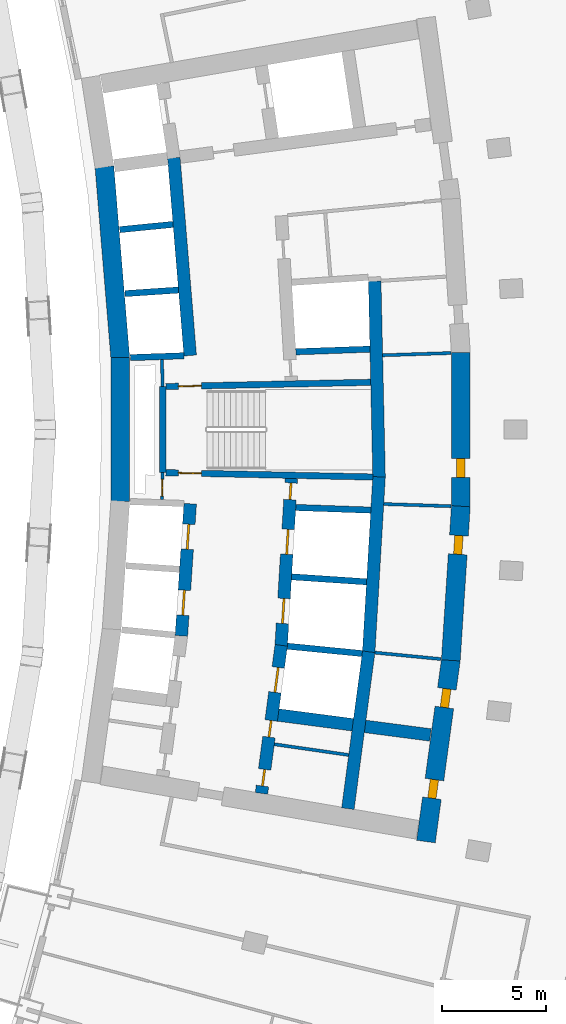
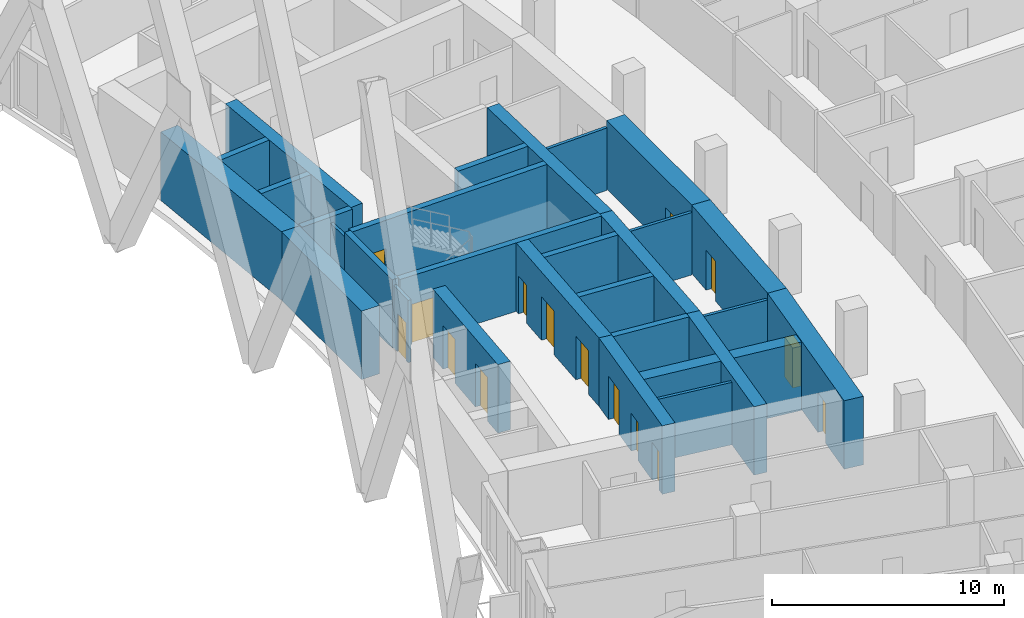
# One storey, part 14 of 23: 30 walls, 15 doors, 15 openings.
"""IFC4 building model written with IfcOpenShell, lengths in metres."""

import ifcopenshell
import ifcopenshell.guid

model = None  # the IFC model being written
_history = None  # IfcOwnerHistory: only IFC2X3 demands one
_inside = {}  # id of a spatial element -> (the spatial element, [elements in it])
_under = {}  # id of a project, library or spatial element -> (it, [spatial elements below it])
_declared = {}  # id of a project -> (the project, [libraries it declares])
_typed = {}  # id of a type object -> (the type object, [elements of that type])
_made_of = {}  # id of a material, layer set ... -> (it, [elements and type objects made of it])


def new_model(schema):
    """Start an empty IFC model of exactly this schema.

    Asked for "IFC4X3", IfcOpenShell would pick the latest addendum, in which some entities
    have other attributes; the version numbers below select the first issue.
    IFC2X3 requires an IfcOwnerHistory on every rooted entity: one is made here for all.
    """
    global model, _history
    if schema == "IFC4X3":
        model = ifcopenshell.file(schema_version=(4, 3, 0, 0))
    else:
        model = ifcopenshell.file(schema=schema)
    _inside.clear()
    _under.clear()
    _declared.clear()
    _typed.clear()
    _made_of.clear()
    _history = None
    if model.schema == "IFC2X3":
        org = make("IfcOrganization", Name="unknown")
        user = make(
            "IfcPersonAndOrganization",
            ThePerson=make("IfcPerson", FamilyName="unknown"),
            TheOrganization=org,
        )
        app = make(
            "IfcApplication",
            ApplicationDeveloper=org,
            Version="unknown",
            ApplicationFullName="unknown",
            ApplicationIdentifier="unknown",
        )
        _history = make(
            "IfcOwnerHistory",
            OwningUser=user,
            OwningApplication=app,
            ChangeAction="ADDED",
            CreationDate=0,
        )
    return model


def make(cls, **values):
    """One entity of the class cls with the attributes given. An attribute that is None is left unset."""
    return model.create_entity(
        cls, **{name: value for name, value in values.items() if value is not None}
    )


def rooted(cls, **values):
    """An entity with a GlobalId (a new one), such as an element, a storey or a relation."""
    return make(cls, GlobalId=ifcopenshell.guid.new(), OwnerHistory=_history, **values)


def si_unit(unit_type, name, prefix=None):
    """IfcSIUnit, for example si_unit("LENGTHUNIT", "METRE", prefix="MILLI")."""
    return make("IfcSIUnit", UnitType=unit_type, Prefix=prefix, Name=name)


def assignment(units):
    """IfcUnitAssignment: the units of a project."""
    return None if units is None else make("IfcUnitAssignment", Units=units)


def point(xyz):
    """IfcCartesianPoint."""
    return None if xyz is None else make("IfcCartesianPoint", Coordinates=xyz)


def direction(xyz):
    """IfcDirection."""
    return None if xyz is None else make("IfcDirection", DirectionRatios=xyz)


def frame(location, z_axis=None, x_axis=None):
    """IfcAxis2Placement3D, a coordinate frame: its origin and axes. An axis left out is left unset."""
    return make(
        "IfcAxis2Placement3D",
        Location=point(location),
        Axis=direction(z_axis),
        RefDirection=direction(x_axis),
    )


def frame_2d(location, x_axis=None):
    """IfcAxis2Placement2D, a coordinate frame in the plane: its origin and x axis."""
    return make(
        "IfcAxis2Placement2D", Location=point(location), RefDirection=direction(x_axis)
    )


def origin():
    """The frame at (0, 0, 0) with its axes left unset."""
    return frame((0.0, 0.0, 0.0))


def place(relative_to, where):
    """IfcLocalPlacement: puts the frame where relative to a parent placement (None: the world)."""
    return make(
        "IfcLocalPlacement", PlacementRelTo=relative_to, RelativePlacement=where
    )


def context(
    kind, dimensions, precision=None, world=None, true_north=None, identifier=None
):
    """IfcGeometricRepresentationContext, for example the 3D "Model" context."""
    return make(
        "IfcGeometricRepresentationContext",
        ContextIdentifier=identifier,
        ContextType=kind,
        CoordinateSpaceDimension=dimensions,
        Precision=precision,
        WorldCoordinateSystem=world,
        TrueNorth=true_north,
    )


def subcontext(parent, identifier, kind, view, scale=None):
    """IfcGeometricRepresentationSubContext, for example "Body" below "Model"."""
    return make(
        "IfcGeometricRepresentationSubContext",
        ContextIdentifier=identifier,
        ContextType=kind,
        ParentContext=parent,
        TargetScale=scale,
        TargetView=view,
    )


def project(units=None, contexts=None):
    """IfcProject with its units and contexts."""
    return rooted(
        "IfcProject",
        Name="project",
        RepresentationContexts=contexts,
        UnitsInContext=assignment(units),
    )


def spatial(cls, under=None, at=None, **own):
    """A site, building, storey or space (cls), placed at a placement, below another one or the project."""
    s = rooted(cls, ObjectPlacement=at, **own)
    if under is not None:
        _under.setdefault(under.id(), (under, []))[1].append(s)
    return s


def profile(cls, at=None, kind="AREA", **sizes):
    """A parametric profile (cls). Its sizes go by their IFC names, for example OverallWidth=200.0."""
    return make(cls, ProfileType=kind, Position=at, **sizes)


def rectangle(**sizes):
    """IfcRectangleProfileDef."""
    return profile("IfcRectangleProfileDef", **sizes)


def extrude(swept, where, along, depth):
    """IfcExtrudedAreaSolid: the profile swept, set in the frame where, extruded along a direction by depth."""
    return make(
        "IfcExtrudedAreaSolid",
        SweptArea=swept,
        Position=where,
        ExtrudedDirection=direction(along),
        Depth=depth,
    )


def shape(context_of_items, identifier, shape_type, items):
    """IfcShapeRepresentation: the items that make up one representation, for example the "Body"."""
    return make(
        "IfcShapeRepresentation",
        ContextOfItems=context_of_items,
        RepresentationIdentifier=identifier,
        RepresentationType=shape_type,
        Items=items,
    )


def material(Name=None, Category=None):
    """IfcMaterial."""
    return make("IfcMaterial", Name=Name, Category=Category)


def layer(
    of_material, thickness, ventilated=None, Name=None, Category=None, Priority=None
):
    """IfcMaterialLayer: one layer of a wall or slab, of a material (None: an air gap)."""
    return make(
        "IfcMaterialLayer",
        Material=of_material,
        LayerThickness=thickness,
        IsVentilated=ventilated,
        Name=Name,
        Category=Category,
        Priority=Priority,
    )


def layer_set(layers, Name=None):
    """IfcMaterialLayerSet."""
    return make("IfcMaterialLayerSet", MaterialLayers=layers, LayerSetName=Name)


def made_of(thing, what):
    """Note that an element or type object is made of a material, layer set ...; save() writes the relation."""
    if what is not None:
        _made_of.setdefault(what.id(), (what, []))[1].append(thing)
    return thing


def type_object(cls, material=None, **own):
    """A type object (cls), such as IfcWallType, which elements share."""
    return made_of(rooted(cls, **own), material)


def element(
    cls,
    number,
    at=None,
    inside=None,
    cuts=None,
    type_object=None,
    material=None,
    context=None,
    identifier="Body",
    shape_type=None,
    held_by="IfcProductDefinitionShape",
    body=None,
    shapes=None,
    **own,
):
    """One element of the class cls, such as IfcWall. Its Tag is "e" and its number.

    at: its placement. inside: the storey or other place that contains it. cuts: it is an
    opening in that element (IfcRelVoidsElement). A single representation is given by context,
    identifier, shape_type and body (its items); several are given by shapes. held_by: the class
    of the entity that holds the representations. save() writes the other relations.
    """
    e = rooted(cls, Tag="e%d" % number, ObjectPlacement=at, **own)
    if body is not None:
        shapes = [shape(context, identifier, shape_type, body)]
    if shapes is not None:
        e.Representation = make(held_by, Representations=shapes)
    if inside is not None:
        _inside.setdefault(inside.id(), (inside, []))[1].append(e)
    if cuts is not None:
        rooted(
            "IfcRelVoidsElement", RelatingBuildingElement=cuts, RelatedOpeningElement=e
        )
    if type_object is not None:
        _typed.setdefault(type_object.id(), (type_object, []))[1].append(e)
    return made_of(e, material)


def fill(opening, filler):
    """IfcRelFillsElement: the door or window that sits in an opening."""
    return rooted(
        "IfcRelFillsElement",
        RelatingOpeningElement=opening,
        RelatedBuildingElement=filler,
    )


def aggregate(whole, parts):
    """IfcRelAggregates: a whole, such as a stair, and the parts it consists of."""
    return rooted("IfcRelAggregates", RelatingObject=whole, RelatedObjects=parts)


def save(model, path):
    """Write the relations noted so far, then the file.

    IfcRelAggregates (storeys below a building ...), IfcRelContainedInSpatialStructure (elements
    in a storey), IfcRelDefinesByType, IfcRelAssociatesMaterial and IfcRelDeclares: one each for
    every whole, place, type object, material and project.
    """
    for whole, parts in _under.values():
        aggregate(whole, parts)
    for where, things in _inside.values():
        rooted(
            "IfcRelContainedInSpatialStructure",
            RelatedElements=things,
            RelatingStructure=where,
        )
    for kind, things in _typed.values():
        rooted("IfcRelDefinesByType", RelatedObjects=things, RelatingType=kind)
    for what, things in _made_of.values():
        rooted("IfcRelAssociatesMaterial", RelatedObjects=things, RelatingMaterial=what)
    for by, libraries in _declared.values():
        rooted("IfcRelDeclares", RelatingContext=by, RelatedDefinitions=libraries)
    model.write(path)


model = new_model("IFC4")

# Units and contexts
model_context = context("Model", 3, precision=1e-05, world=origin(), true_north=direction((0.0, 1.0)))
body_context = subcontext(model_context, "Body", "Model", "MODEL_VIEW")
ifc_project = project(units=[si_unit("LENGTHUNIT", "METRE"), si_unit("AREAUNIT", "SQUARE_METRE"), si_unit("VOLUMEUNIT", "CUBIC_METRE"), si_unit("PLANEANGLEUNIT", "RADIAN"), si_unit("MASSUNIT", "GRAM", prefix="KILO")], contexts=[model_context])

# Site, building, storey
site_placement = place(None, origin())
site = spatial("IfcSite", under=ifc_project, at=site_placement, CompositionType="ELEMENT")
building_placement = place(site_placement, origin())
building = spatial("IfcBuilding", under=site, at=building_placement, Name="Alderwake Tower", CompositionType="ELEMENT")
storey_placement = place(building_placement, frame((0.0, 0.0, 53.60009765625)))
storey = spatial("IfcBuildingStorey", under=building, at=storey_placement, Name="L12", CompositionType="ELEMENT", Elevation=53.60009765625)

# Wall, opening, door
ifc_material_1 = material(Name="Gypsum shaft wall system, rated")
ifc_layer_1 = layer(ifc_material_1, 0.14990234375)
ifc_layer_set_1 = layer_set([ifc_layer_1], Name="Core room partition 150")
wall_type_1 = type_object("IfcWallType", Name="Core room partition 150", PredefinedType="PARTITIONING", material=ifc_layer_set_1)
wall_1_placement = place(storey_placement, frame((18.918701171875, 58.94384765625, 0.0), z_axis=(0.0, 0.0, 1.0), x_axis=(-0.027348257573, -0.999625966453, 0.0)))
wall_1 = element("IfcWall", 1, at=wall_1_placement, inside=storey, type_object=wall_type_1, Name="CW/L12/PA+24_-37", PredefinedType="PARTITIONING", context=body_context, shape_type="SweptSolid", body=[
    extrude(rectangle(XDim=1.29443359375, YDim=0.14990234375, at=frame_2d((0.647216796875, 0.0))), origin(), (0.0, 0.0, 1.0), 3.27978515625),
])
opening_1_placement = place(wall_1_placement, frame((0.322998046875, 0.0, 0.0)))
opening_1 = element("IfcOpeningElement", 2, at=opening_1_placement, cuts=wall_1, Name="Opening C004", PredefinedType="OPENING", context=body_context, shape_type="SweptSolid", body=[
    extrude(rectangle(XDim=0.800048828125, YDim=2.0, at=frame_2d((0.39990234375, 1.0))), frame((0.0, 0.0849609375, 0.0), z_axis=(0.0, -1.0, 0.0), x_axis=(1.0, 0.0, 0.0)), (0.0, 0.0, 1.0), 0.169921875),
])
ifc_material_2 = material(Name="Painted steel leaf, rated", Category="steel")
door_type_1 = type_object("IfcDoorType", Name="Riser access door 800", OperationType="SINGLE_SWING_LEFT", PredefinedType="DOOR", material=ifc_material_2)
door_1_placement = place(opening_1_placement, origin())
door_1 = element("IfcDoor", 3, at=door_1_placement, inside=storey, type_object=door_type_1, Name="Riser access door", OperationType="SINGLE_SWING_RIGHT", OverallHeight=2.0, OverallWidth=0.800048828125, PredefinedType="DOOR", context=body_context, shape_type="SweptSolid", body=[
    extrude(rectangle(XDim=0.800048828125, YDim=2.0, at=frame_2d((0.39990234375, 1.0))), frame((0.0, 0.02490234375, 0.0), z_axis=(0.0, -1.0, 0.0), x_axis=(1.0, 0.0, 0.0)), (0.0, 0.0, 1.0), 0.050048828125),
])
fill(opening_1, door_1)

# Walls
wall_2_placement = place(storey_placement, frame((18.918701171875, 63.05517578125, 0.0), z_axis=(0.0, 0.0, 1.0), x_axis=(-0.027327648352, 0.999626530078, 0.0)))
element("IfcWall", 4, at=wall_2_placement, inside=storey, type_object=wall_type_1, Name="CW/L12/PA+24_+22", PredefinedType="PARTITIONING", context=body_context, shape_type="SweptSolid", body=[
    extrude(rectangle(XDim=1.29541015625, YDim=0.14990234375, at=frame_2d((0.647705078125, 0.0))), origin(), (0.0, 0.0, 1.0), 3.27978515625),
])
wall_3_placement = place(storey_placement, frame((24.263916015625, 45.940673828125, 0.0), z_axis=(0.0, 0.0, 1.0), x_axis=(0.989732412963, -0.142932679013, 0.0)))
element("IfcWall", 5, at=wall_3_placement, inside=storey, type_object=wall_type_1, Name="CW/L12/PR-150_+86", PredefinedType="PARTITIONING", context=body_context, shape_type="SweptSolid", body=[
    extrude(rectangle(XDim=3.595458984375, YDim=0.14990234375, at=frame_2d((1.7978515625, 0.0))), origin(), (0.0, 0.0, 1.0), 3.27978515625),
])
wall_4_placement = place(storey_placement, frame((29.0791015625, 50.326416015625, 0.0), z_axis=(0.0, 0.0, 1.0), x_axis=(0.995249181795, -0.097360495766, 0.0)))
element("IfcWall", 6, at=wall_4_placement, inside=storey, type_object=wall_type_1, Name="CW/L12/PR-102_+128", PredefinedType="PARTITIONING", context=body_context, shape_type="SweptSolid", body=[
    extrude(rectangle(XDim=3.169677734375, YDim=0.14990234375, at=frame_2d((1.5849609375, 0.0))), origin(), (0.0, 0.0, 1.0), 3.27978515625),
])
wall_5_placement = place(storey_placement, frame((29.50048828125, 57.4384765625, 0.0), z_axis=(0.0, 0.0, 1.0), x_axis=(0.999470508275, -0.032537717924, 0.0)))
element("IfcWall", 7, at=wall_5_placement, inside=storey, type_object=wall_type_1, Name="CW/L12/PR-34_+128", PredefinedType="PARTITIONING", context=body_context, shape_type="SweptSolid", body=[
    extrude(rectangle(XDim=3.21142578125, YDim=0.14990234375, at=frame_2d((1.605712890625, 0.0))), origin(), (0.0, 0.0, 1.0), 3.27978515625),
])
wall_6_placement = place(storey_placement, frame((29.447509765625, 64.559814453125, 0.0), z_axis=(0.0, 0.0, 1.0), x_axis=(0.999470664956, 0.032532904763, 0.0)))
element("IfcWall", 8, at=wall_6_placement, inside=storey, type_object=wall_type_1, Name="CW/L12/PR+34_+128", PredefinedType="PARTITIONING", context=body_context, shape_type="SweptSolid", body=[
    extrude(rectangle(XDim=3.264404296875, YDim=0.14990234375, at=frame_2d((1.63232421875, 0.0))), origin(), (0.0, 0.0, 1.0), 3.27978515625),
])
ifc_material_3 = material(Name="Concrete C70/85", Category="concrete")
ifc_layer_2 = layer(ifc_material_3, 0.89990234375)
ifc_layer_set_2 = layer_set([ifc_layer_2], Name="Core wall outer 900 C70-85")
wall_type_2 = type_object("IfcWallType", Name="Core wall outer 900 C70-85", PredefinedType="SHEAR", material=ifc_layer_set_2)
wall_7_placement = place(storey_placement, frame((16.889404296875, 57.5546875, 0.0), z_axis=(0.0, 0.0, 1.0), x_axis=(0.0, 1.0, 0.0)))
element("IfcWall", 9, at=wall_7_placement, inside=storey, type_object=wall_type_2, Name="Core wall CW.043", PredefinedType="SHEAR", context=body_context, shape_type="SweptSolid", body=[
    extrude(rectangle(XDim=6.89404296875, YDim=0.89990234375, at=frame_2d((3.447021484375, 0.0))), origin(), (0.0, 0.0, 1.0), 3.599853515625),
])
wall_8_placement = place(storey_placement, frame((16.890869140625, 64.41064453125, 0.0), z_axis=(0.0, 0.0, 1.0), x_axis=(-0.082624275373, 0.996580768989, 0.0)))
element("IfcWall", 10, at=wall_8_placement, inside=storey, type_object=wall_type_2, Name="Core wall CW.040", PredefinedType="SHEAR", context=body_context, shape_type="SweptSolid", body=[
    extrude(rectangle(XDim=9.210205078125, YDim=0.89990234375, at=frame_2d((4.60498046875, 0.0))), origin(), (0.0, 0.0, 1.0), 3.599853515625),
])

# Wall, openings, doors
wall_9_placement = place(storey_placement, frame((32.7138671875, 49.9873046875, 0.0), z_axis=(0.0, 0.0, 1.0), x_axis=(-0.135844728876, -0.990730139663, 0.0)))
wall_9 = element("IfcWall", 11, at=wall_9_placement, inside=storey, type_object=wall_type_2, Name="Core wall CW.012", PredefinedType="SHEAR", context=body_context, shape_type="SweptSolid", body=[
    extrude(rectangle(XDim=8.78662109375, YDim=0.89990234375, at=frame_2d((4.393310546875, 0.0))), origin(), (0.0, 0.0, 1.0), 3.599853515625),
])
opening_2_placement = place(wall_9_placement, frame((1.40673828125, 0.0, 0.0)))
opening_2 = element("IfcOpeningElement", 12, at=opening_2_placement, cuts=wall_9, Name="Opening C050", PredefinedType="OPENING", context=body_context, shape_type="SweptSolid", body=[
    extrude(rectangle(XDim=0.89990234375, YDim=2.10009765625, at=frame_2d((0.449951171875, 1.050048828125))), frame((0.0, 0.4599609375, 0.0), z_axis=(0.0, -1.0, 0.0), x_axis=(1.0, 0.0, 0.0)), (0.0, 0.0, 1.0), 0.919921875),
])
opening_3_placement = place(wall_9_placement, frame((5.79248046875, 0.0, 0.0)))
opening_3 = element("IfcOpeningElement", 13, at=opening_3_placement, cuts=wall_9, Name="Opening C061", PredefinedType="OPENING", context=body_context, shape_type="SweptSolid", body=[
    extrude(rectangle(XDim=0.89990234375, YDim=2.10009765625, at=frame_2d((0.449951171875, 1.050048828125))), frame((0.0, 0.4599609375, 0.0), z_axis=(0.0, -1.0, 0.0), x_axis=(1.0, 0.0, 0.0)), (0.0, 0.0, 1.0), 0.919921875),
])
ifc_material_4 = material(Name="Painted steel leaf", Category="steel")
door_type_2 = type_object("IfcDoorType", Name="Core room door 900", OperationType="SINGLE_SWING_LEFT", PredefinedType="DOOR", material=ifc_material_4)
door_2_placement = place(opening_2_placement, origin())
door_2 = element("IfcDoor", 14, at=door_2_placement, inside=storey, type_object=door_type_2, Name="Room door", OperationType="SINGLE_SWING_LEFT", OverallHeight=2.10009765625, OverallWidth=0.89990234375, PredefinedType="DOOR", context=body_context, shape_type="SweptSolid", body=[
    extrude(rectangle(XDim=0.89990234375, YDim=2.10009765625, at=frame_2d((0.449951171875, 1.050048828125))), frame((0.0, 0.199951171875, 0.0), z_axis=(0.0, -1.0, 0.0), x_axis=(1.0, 0.0, 0.0)), (0.0, 0.0, 1.0), 0.39990234375),
])
fill(opening_2, door_2)
door_3_placement = place(opening_3_placement, origin())
door_3 = element("IfcDoor", 15, at=door_3_placement, inside=storey, type_object=door_type_2, Name="Room door", OperationType="SINGLE_SWING_RIGHT", OverallHeight=2.10009765625, OverallWidth=0.89990234375, PredefinedType="DOOR", context=body_context, shape_type="SweptSolid", body=[
    extrude(rectangle(XDim=0.89990234375, YDim=2.10009765625, at=frame_2d((0.449951171875, 1.050048828125))), frame((0.0, 0.199951171875, 0.0), z_axis=(0.0, -1.0, 0.0), x_axis=(1.0, 0.0, 0.0)), (0.0, 0.0, 1.0), 0.39990234375),
])
fill(opening_3, door_3)

# Wall, opening, door
wall_10_placement = place(storey_placement, frame((33.191162109375, 57.33349609375, 0.0), z_axis=(0.0, 0.0, 1.0), x_axis=(-0.064976219143, -0.997886812693, 0.0)))
wall_10 = element("IfcWall", 16, at=wall_10_placement, inside=storey, type_object=wall_type_2, Name="Core wall CW.011", PredefinedType="SHEAR", context=body_context, shape_type="SweptSolid", body=[
    extrude(rectangle(XDim=7.39453125, YDim=0.89990234375, at=frame_2d((3.697265625, 0.0))), origin(), (0.0, 0.0, 1.0), 3.599853515625),
])
opening_4_placement = place(wall_10_placement, frame((1.405517578125, 0.0, 0.0)))
opening_4 = element("IfcOpeningElement", 17, at=opening_4_placement, cuts=wall_10, Name="Opening C026", PredefinedType="OPENING", context=body_context, shape_type="SweptSolid", body=[
    extrude(rectangle(XDim=0.89990234375, YDim=2.10009765625, at=frame_2d((0.449951171875, 1.050048828125))), frame((0.0, 0.4599609375, 0.0), z_axis=(0.0, -1.0, 0.0), x_axis=(1.0, 0.0, 0.0)), (0.0, 0.0, 1.0), 0.919921875),
])
door_4_placement = place(opening_4_placement, origin())
door_4 = element("IfcDoor", 18, at=door_4_placement, inside=storey, type_object=door_type_2, Name="Room door", OperationType="SINGLE_SWING_RIGHT", OverallHeight=2.10009765625, OverallWidth=0.89990234375, PredefinedType="DOOR", context=body_context, shape_type="SweptSolid", body=[
    extrude(rectangle(XDim=0.89990234375, YDim=2.10009765625, at=frame_2d((0.449951171875, 1.050048828125))), frame((0.0, 0.199951171875, 0.0), z_axis=(0.0, -1.0, 0.0), x_axis=(1.0, 0.0, 0.0)), (0.0, 0.0, 1.0), 0.39990234375),
])
fill(opening_4, door_4)

wall_11_placement = place(storey_placement, frame((33.190185546875, 64.69677734375, 0.0), z_axis=(0.0, 0.0, 1.0), x_axis=(0.0, -1.0, 0.0)))
wall_11 = element("IfcWall", 19, at=wall_11_placement, inside=storey, type_object=wall_type_2, Name="Core wall CW.013", PredefinedType="SHEAR", context=body_context, shape_type="SweptSolid", body=[
    extrude(rectangle(XDim=7.3935546875, YDim=0.89990234375, at=frame_2d((3.69677734375, 0.0))), origin(), (0.0, 0.0, 1.0), 3.599853515625),
])
opening_5_placement = place(wall_11_placement, frame((5.087646484375, 0.0, 0.0)))
opening_5 = element("IfcOpeningElement", 20, at=opening_5_placement, cuts=wall_11, Name="Opening C030", PredefinedType="OPENING", context=body_context, shape_type="SweptSolid", body=[
    extrude(rectangle(XDim=0.89990234375, YDim=2.10009765625, at=frame_2d((0.449951171875, 1.050048828125))), frame((0.0, 0.4599609375, 0.0), z_axis=(0.0, -1.0, 0.0), x_axis=(1.0, 0.0, 0.0)), (0.0, 0.0, 1.0), 0.919921875),
])
door_5_placement = place(opening_5_placement, origin())
door_5 = element("IfcDoor", 21, at=door_5_placement, inside=storey, type_object=door_type_2, Name="Room door", OperationType="SINGLE_SWING_LEFT", OverallHeight=2.10009765625, OverallWidth=0.89990234375, PredefinedType="DOOR", context=body_context, shape_type="SweptSolid", body=[
    extrude(rectangle(XDim=0.89990234375, YDim=2.10009765625, at=frame_2d((0.449951171875, 1.050048828125))), frame((0.0, 0.199951171875, 0.0), z_axis=(0.0, -1.0, 0.0), x_axis=(1.0, 0.0, 0.0)), (0.0, 0.0, 1.0), 0.39990234375),
])
fill(opening_5, door_5)

# Walls
ifc_material_5 = material(Name="Concrete C70/85", Category="concrete")
ifc_layer_3 = layer(ifc_material_5, 0.300048828125)
ifc_layer_set_3 = layer_set([ifc_layer_3], Name="Core wall shaft 300 C70-85")
wall_type_3 = type_object("IfcWallType", Name="Core wall shaft 300 C70-85", PredefinedType="SHEAR", material=ifc_layer_set_3)
wall_12_placement = place(storey_placement, frame((24.889404296875, 50.635009765625, 0.0), z_axis=(0.0, 0.0, 1.0), x_axis=(0.995156121494, -0.098307140396, 0.0)))
element("IfcWall", 22, at=wall_12_placement, inside=storey, type_object=wall_type_3, Name="Core wall CW.066", PredefinedType="SHEAR", context=body_context, shape_type="SweptSolid", body=[
    extrude(rectangle(XDim=3.595947265625, YDim=0.300048828125, at=frame_2d((1.7978515625, 0.0))), origin(), (0.0, 0.0, 1.0), 3.599853515625),
])
wall_13_placement = place(storey_placement, frame((25.090087890625, 53.954833984375, 0.0), z_axis=(0.0, 0.0, 1.0), x_axis=(0.997758045734, -0.066924451231, 0.0)))
element("IfcWall", 23, at=wall_13_placement, inside=storey, type_object=wall_type_3, Name="Core wall CW.080", PredefinedType="SHEAR", context=body_context, shape_type="SweptSolid", body=[
    extrude(rectangle(XDim=3.596923828125, YDim=0.300048828125, at=frame_2d((1.79833984375, 0.0))), origin(), (0.0, 0.0, 1.0), 3.599853515625),
])
wall_14_placement = place(storey_placement, frame((25.29052734375, 57.27294921875, 0.0), z_axis=(0.0, 0.0, 1.0), x_axis=(0.99937585491, -0.035325636908, 0.0)))
element("IfcWall", 24, at=wall_14_placement, inside=storey, type_object=wall_type_3, Name="Core wall CW.077", PredefinedType="SHEAR", context=body_context, shape_type="SweptSolid", body=[
    extrude(rectangle(XDim=3.59375, YDim=0.300048828125, at=frame_2d((1.796875, 0.0))), origin(), (0.0, 0.0, 1.0), 3.599853515625),
])
wall_15_placement = place(storey_placement, frame((17.369384765625, 64.446533203125, 0.0), z_axis=(0.0, 0.0, 1.0), x_axis=(0.999371660382, 0.035444102817, 0.0)))
element("IfcWall", 25, at=wall_15_placement, inside=storey, type_object=wall_type_3, Name="Core wall CW.059", PredefinedType="SHEAR", context=body_context, shape_type="SweptSolid", body=[
    extrude(rectangle(XDim=2.5693359375, YDim=0.300048828125, at=frame_2d((1.28466796875, 0.0))), origin(), (0.0, 0.0, 1.0), 3.599853515625),
])
wall_16_placement = place(storey_placement, frame((25.291259765625, 64.72705078125, 0.0), z_axis=(0.0, 0.0, 1.0), x_axis=(0.999373231824, 0.035399767136, 0.0)))
element("IfcWall", 26, at=wall_16_placement, inside=storey, type_object=wall_type_3, Name="Core wall CW.060", PredefinedType="SHEAR", context=body_context, shape_type="SweptSolid", body=[
    extrude(rectangle(XDim=3.5517578125, YDim=0.300048828125, at=frame_2d((1.77587890625, 0.0))), origin(), (0.0, 0.0, 1.0), 3.599853515625),
])
for number, where, z_axis, x_axis, name in (
    (27, (17.115478515625, 67.510498046875, 0.0), (0.0, 0.0, 1.0), (0.99775517309, 0.06696726493, 0.0), "Core wall CW.062"),
    (28, (16.86181640625, 70.571533203125, 0.0), (0.0, 0.0, 1.0), (0.995151424955, 0.098354671516, 0.0), "Core wall CW.050"),
):
    element("IfcWall", number, at=place(storey_placement, frame(where, z_axis=z_axis, x_axis=x_axis)), inside=storey, type_object=wall_type_3, Name=name, PredefinedType="SHEAR", context=body_context, shape_type="SweptSolid", body=[
        extrude(rectangle(XDim=2.566650390625, YDim=0.300048828125, at=frame_2d((1.283203125, 0.0))), origin(), (0.0, 0.0, 1.0), 3.599853515625),
    ])

# Wall, openings, doors
ifc_material_6 = material(Name="Concrete C70/85", Category="concrete")
ifc_layer_4 = layer(ifc_material_6, 0.60009765625)
ifc_layer_set_4 = layer_set([ifc_layer_4], Name="Core wall spine 600 C70-85")
wall_type_4 = type_object("IfcWallType", Name="Core wall spine 600 C70-85", PredefinedType="SHEAR", material=ifc_layer_set_4)
wall_17_placement = place(storey_placement, frame((19.813232421875, 51.12646484375, 0.0), z_axis=(0.0, 0.0, 1.0), x_axis=(0.066892179723, 0.997760209816, 0.0)))
wall_17 = element("IfcWall", 29, at=wall_17_placement, inside=storey, type_object=wall_type_4, Name="Core wall CW.032", PredefinedType="SHEAR", context=body_context, shape_type="SweptSolid", body=[
    extrude(rectangle(XDim=6.339599609375, YDim=0.60009765625, at=frame_2d((3.169921875, 0.0))), origin(), (0.0, 0.0, 1.0), 3.599853515625),
])
opening_6_placement = place(wall_17_placement, frame((0.992431640625, 0.0, 0.0)))
opening_6 = element("IfcOpeningElement", 30, at=opening_6_placement, cuts=wall_17, Name="Opening LD-LP2", PredefinedType="OPENING", context=body_context, shape_type="SweptSolid", body=[
    extrude(rectangle(XDim=1.199951171875, YDim=2.300048828125, at=frame_2d((0.60009765625, 1.14990234375))), frame((0.0, 0.31005859375, 0.0), z_axis=(0.0, -1.0, 0.0), x_axis=(1.0, 0.0, 0.0)), (0.0, 0.0, 1.0), 0.6201171875),
])
opening_7_placement = place(wall_17_placement, frame((4.157470703125, 0.0, 0.0)))
opening_7 = element("IfcOpeningElement", 31, at=opening_7_placement, cuts=wall_17, Name="Opening LD-LP3", PredefinedType="OPENING", context=body_context, shape_type="SweptSolid", body=[
    extrude(rectangle(XDim=1.199951171875, YDim=2.300048828125, at=frame_2d((0.60009765625, 1.14990234375))), frame((0.0, 0.31005859375, 0.0), z_axis=(0.0, -1.0, 0.0), x_axis=(1.0, 0.0, 0.0)), (0.0, 0.0, 1.0), 0.6201171875),
])
ifc_material_7 = material(Name="Stainless steel sliding leaf", Category="steel")
door_type_3 = type_object("IfcDoorType", Name="Lift landing door 1200", OperationType="SLIDING_TO_LEFT", PredefinedType="DOOR", material=ifc_material_7)
door_6_placement = place(opening_6_placement, origin())
door_6 = element("IfcDoor", 32, at=door_6_placement, inside=storey, type_object=door_type_3, Name="Lift landing door LP2", OperationType="SLIDING_TO_LEFT", OverallHeight=2.300048828125, OverallWidth=1.199951171875, PredefinedType="DOOR", context=body_context, shape_type="SweptSolid", body=[
    extrude(rectangle(XDim=1.199951171875, YDim=2.300048828125, at=frame_2d((0.60009765625, 1.14990234375))), frame((0.0, 0.050048828125, 0.0), z_axis=(0.0, -1.0, 0.0), x_axis=(1.0, 0.0, 0.0)), (0.0, 0.0, 1.0), 0.10009765625),
])
fill(opening_6, door_6)
door_7_placement = place(opening_7_placement, origin())
door_7 = element("IfcDoor", 33, at=door_7_placement, inside=storey, type_object=door_type_3, Name="Lift landing door LP3", OperationType="SLIDING_TO_LEFT", OverallHeight=2.300048828125, OverallWidth=1.199951171875, PredefinedType="DOOR", context=body_context, shape_type="SweptSolid", body=[
    extrude(rectangle(XDim=1.199951171875, YDim=2.300048828125, at=frame_2d((0.60009765625, 1.14990234375))), frame((0.0, 0.050048828125, 0.0), z_axis=(0.0, -1.0, 0.0), x_axis=(1.0, 0.0, 0.0)), (0.0, 0.0, 1.0), 0.10009765625),
])
fill(opening_7, door_7)

# Wall
wall_18_placement = place(storey_placement, frame((20.2373046875, 64.548095703125, 0.0), z_axis=(0.0, 0.0, 1.0), x_axis=(-0.082626598613, 0.996580576372, 0.0)))
element("IfcWall", 34, at=wall_18_placement, inside=storey, type_object=wall_type_4, Name="Core wall CW.031", PredefinedType="SHEAR", context=body_context, shape_type="SweptSolid", body=[
    extrude(rectangle(XDim=9.50244140625, YDim=0.60009765625, at=frame_2d((4.751220703125, 0.0))), origin(), (0.0, 0.0, 1.0), 3.599853515625),
])

# Wall, openings, doors
wall_19_placement = place(storey_placement, frame((23.647705078125, 43.588134765625, 0.0), z_axis=(0.0, 0.0, 1.0), x_axis=(0.132069785658, 0.991240420744, 0.0)))
wall_19 = element("IfcWall", 35, at=wall_19_placement, inside=storey, type_object=wall_type_4, Name="Core wall CW.047", PredefinedType="SHEAR", context=body_context, shape_type="SweptSolid", body=[
    extrude(rectangle(XDim=7.150390625, YDim=0.60009765625, at=frame_2d((3.5751953125, 0.0))), origin(), (0.0, 0.0, 1.0), 3.599853515625),
])
opening_8_placement = place(wall_19_placement, frame((4.88134765625, 0.0, 0.0)))
opening_8 = element("IfcOpeningElement", 36, at=opening_8_placement, cuts=wall_19, Name="Opening LD-LP4", PredefinedType="OPENING", context=body_context, shape_type="SweptSolid", body=[
    extrude(rectangle(XDim=1.199951171875, YDim=2.300048828125, at=frame_2d((0.60009765625, 1.14990234375))), frame((0.0, 0.31005859375, 0.0), z_axis=(0.0, -1.0, 0.0), x_axis=(1.0, 0.0, 0.0)), (0.0, 0.0, 1.0), 0.6201171875),
])
opening_9_placement = place(wall_19_placement, frame((0.35791015625, 0.0, 0.0)))
opening_9 = element("IfcOpeningElement", 37, at=opening_9_placement, cuts=wall_19, Name="Opening C015", PredefinedType="OPENING", context=body_context, shape_type="SweptSolid", body=[
    extrude(rectangle(XDim=0.800048828125, YDim=2.0, at=frame_2d((0.39990234375, 1.0))), frame((0.0, 0.31005859375, 0.0), z_axis=(0.0, -1.0, 0.0), x_axis=(1.0, 0.0, 0.0)), (0.0, 0.0, 1.0), 0.6201171875),
])
opening_10_placement = place(wall_19_placement, frame((2.719482421875, 0.0, 0.0)))
opening_10 = element("IfcOpeningElement", 38, at=opening_10_placement, cuts=wall_19, Name="Opening C019", PredefinedType="OPENING", context=body_context, shape_type="SweptSolid", body=[
    extrude(rectangle(XDim=0.800048828125, YDim=2.0, at=frame_2d((0.39990234375, 1.0))), frame((0.0, 0.31005859375, 0.0), z_axis=(0.0, -1.0, 0.0), x_axis=(1.0, 0.0, 0.0)), (0.0, 0.0, 1.0), 0.6201171875),
])
door_8_placement = place(opening_8_placement, origin())
door_8 = element("IfcDoor", 39, at=door_8_placement, inside=storey, type_object=door_type_3, Name="Lift landing door LP4", OperationType="SLIDING_TO_LEFT", OverallHeight=2.300048828125, OverallWidth=1.199951171875, PredefinedType="DOOR", context=body_context, shape_type="SweptSolid", body=[
    extrude(rectangle(XDim=1.199951171875, YDim=2.300048828125, at=frame_2d((0.60009765625, 1.14990234375))), frame((0.0, 0.050048828125, 0.0), z_axis=(0.0, -1.0, 0.0), x_axis=(1.0, 0.0, 0.0)), (0.0, 0.0, 1.0), 0.10009765625),
])
fill(opening_8, door_8)
door_9_placement = place(opening_9_placement, origin())
door_9 = element("IfcDoor", 40, at=door_9_placement, inside=storey, type_object=door_type_1, Name="Riser access door", OperationType="SINGLE_SWING_LEFT", OverallHeight=2.0, OverallWidth=0.800048828125, PredefinedType="DOOR", context=body_context, shape_type="SweptSolid", body=[
    extrude(rectangle(XDim=0.800048828125, YDim=2.0, at=frame_2d((0.39990234375, 1.0))), frame((0.0, 0.050048828125, 0.0), z_axis=(0.0, -1.0, 0.0), x_axis=(1.0, 0.0, 0.0)), (0.0, 0.0, 1.0), 0.10009765625),
])
fill(opening_9, door_9)
door_10_placement = place(opening_10_placement, origin())
door_10 = element("IfcDoor", 41, at=door_10_placement, inside=storey, type_object=door_type_1, Name="Riser access door", OperationType="SINGLE_SWING_RIGHT", OverallHeight=2.0, OverallWidth=0.800048828125, PredefinedType="DOOR", context=body_context, shape_type="SweptSolid", body=[
    extrude(rectangle(XDim=0.800048828125, YDim=2.0, at=frame_2d((0.39990234375, 1.0))), frame((0.0, 0.050048828125, 0.0), z_axis=(0.0, -1.0, 0.0), x_axis=(1.0, 0.0, 0.0)), (0.0, 0.0, 1.0), 0.10009765625),
])
fill(opening_10, door_10)

wall_20_placement = place(storey_placement, frame((24.58984375, 50.6533203125, 0.0), z_axis=(0.0, 0.0, 1.0), x_axis=(0.060323309079, 0.998178890972, 0.0)))
wall_20 = element("IfcWall", 42, at=wall_20_placement, inside=storey, type_object=wall_type_4, Name="Core wall CW.046", PredefinedType="SHEAR", context=body_context, shape_type="SweptSolid", body=[
    extrude(rectangle(XDim=8.025634765625, YDim=0.60009765625, at=frame_2d((4.0126953125, 0.0))), origin(), (0.0, 0.0, 1.0), 3.599853515625),
])
opening_11_placement = place(wall_20_placement, frame((1.06884765625, 0.0, 0.0)))
opening_11 = element("IfcOpeningElement", 43, at=opening_11_placement, cuts=wall_20, Name="Opening LD-LP5", PredefinedType="OPENING", context=body_context, shape_type="SweptSolid", body=[
    extrude(rectangle(XDim=1.199951171875, YDim=2.300048828125, at=frame_2d((0.60009765625, 1.14990234375))), frame((0.0, 0.31005859375, 0.0), z_axis=(0.0, -1.0, 0.0), x_axis=(1.0, 0.0, 0.0)), (0.0, 0.0, 1.0), 0.6201171875),
])
opening_12_placement = place(wall_20_placement, frame((4.38525390625, 0.0, 0.0)))
opening_12 = element("IfcOpeningElement", 44, at=opening_12_placement, cuts=wall_20, Name="Opening LD-LP6", PredefinedType="OPENING", context=body_context, shape_type="SweptSolid", body=[
    extrude(rectangle(XDim=1.199951171875, YDim=2.300048828125, at=frame_2d((0.60009765625, 1.14990234375))), frame((0.0, 0.31005859375, 0.0), z_axis=(0.0, -1.0, 0.0), x_axis=(1.0, 0.0, 0.0)), (0.0, 0.0, 1.0), 0.6201171875),
])
opening_13_placement = place(wall_20_placement, frame((7.009521484375, 0.0, 0.0)))
opening_13 = element("IfcOpeningElement", 45, at=opening_13_placement, cuts=wall_20, Name="Opening C006", PredefinedType="OPENING", context=body_context, shape_type="SweptSolid", body=[
    extrude(rectangle(XDim=0.800048828125, YDim=2.0, at=frame_2d((0.39990234375, 1.0))), frame((0.0, 0.31005859375, 0.0), z_axis=(0.0, -1.0, 0.0), x_axis=(1.0, 0.0, 0.0)), (0.0, 0.0, 1.0), 0.6201171875),
])
door_11_placement = place(opening_11_placement, origin())
door_11 = element("IfcDoor", 46, at=door_11_placement, inside=storey, type_object=door_type_3, Name="Lift landing door LP5", OperationType="SLIDING_TO_LEFT", OverallHeight=2.300048828125, OverallWidth=1.199951171875, PredefinedType="DOOR", context=body_context, shape_type="SweptSolid", body=[
    extrude(rectangle(XDim=1.199951171875, YDim=2.300048828125, at=frame_2d((0.60009765625, 1.14990234375))), frame((0.0, 0.050048828125, 0.0), z_axis=(0.0, -1.0, 0.0), x_axis=(1.0, 0.0, 0.0)), (0.0, 0.0, 1.0), 0.10009765625),
])
fill(opening_11, door_11)
door_12_placement = place(opening_12_placement, origin())
door_12 = element("IfcDoor", 47, at=door_12_placement, inside=storey, type_object=door_type_3, Name="Lift landing door LP6", OperationType="SLIDING_TO_LEFT", OverallHeight=2.300048828125, OverallWidth=1.199951171875, PredefinedType="DOOR", context=body_context, shape_type="SweptSolid", body=[
    extrude(rectangle(XDim=1.199951171875, YDim=2.300048828125, at=frame_2d((0.60009765625, 1.14990234375))), frame((0.0, 0.050048828125, 0.0), z_axis=(0.0, -1.0, 0.0), x_axis=(1.0, 0.0, 0.0)), (0.0, 0.0, 1.0), 0.10009765625),
])
fill(opening_12, door_12)
door_13_placement = place(opening_13_placement, origin())
door_13 = element("IfcDoor", 48, at=door_13_placement, inside=storey, type_object=door_type_1, Name="Riser access door", OperationType="SINGLE_SWING_RIGHT", OverallHeight=2.0, OverallWidth=0.800048828125, PredefinedType="DOOR", context=body_context, shape_type="SweptSolid", body=[
    extrude(rectangle(XDim=0.800048828125, YDim=2.0, at=frame_2d((0.39990234375, 1.0))), frame((0.0, 0.050048828125, 0.0), z_axis=(0.0, -1.0, 0.0), x_axis=(1.0, 0.0, 0.0)), (0.0, 0.0, 1.0), 0.10009765625),
])
fill(opening_13, door_13)

# Walls
wall_21_placement = place(storey_placement, frame((27.78369140625, 42.85693359375, 0.0), z_axis=(0.0, 0.0, 1.0), x_axis=(0.131768985664, 0.991280451949, 0.0)))
element("IfcWall", 49, at=wall_21_placement, inside=storey, type_object=wall_type_4, Name="Core wall CW.006", PredefinedType="SHEAR", context=body_context, shape_type="SweptSolid", body=[
    extrude(rectangle(XDim=7.576171875, YDim=0.60009765625, at=frame_2d((3.7880859375, 0.0))), origin(), (0.0, 0.0, 1.0), 3.599853515625),
])
wall_22_placement = place(storey_placement, frame((28.77978515625, 50.34423828125, 0.0), z_axis=(0.0, 0.0, 1.0), x_axis=(0.059133840665, 0.998250063305, 0.0)))
element("IfcWall", 50, at=wall_22_placement, inside=storey, type_object=wall_type_4, Name="Core wall CW.004", PredefinedType="SHEAR", context=body_context, shape_type="SweptSolid", body=[
    extrude(rectangle(XDim=8.409912109375, YDim=0.60009765625, at=frame_2d((4.205078125, 0.0))), origin(), (0.0, 0.0, 1.0), 3.599853515625),
])
wall_23_placement = place(storey_placement, frame((29.276611328125, 58.714111328125, 0.0), z_axis=(0.0, 0.0, 1.0), x_axis=(-0.022107681417, 0.999755595344, 0.0)))
element("IfcWall", 51, at=wall_23_placement, inside=storey, type_object=wall_type_4, Name="Core wall CW.007", PredefinedType="SHEAR", context=body_context, shape_type="SweptSolid", body=[
    extrude(rectangle(XDim=9.397705078125, YDim=0.60009765625, at=frame_2d((4.69873046875, 0.0))), origin(), (0.0, 0.0, 1.0), 3.599853515625),
])
wall_24_placement = place(storey_placement, frame((24.4501953125, 47.338623046875, 0.0), z_axis=(0.0, 0.0, 1.0), x_axis=(0.99155225032, -0.129707882892, 0.0)))
element("IfcWall", 52, at=wall_24_placement, inside=storey, type_object=wall_type_4, Name="Core wall CW.069", PredefinedType="SHEAR", context=body_context, shape_type="SweptSolid", body=[
    extrude(rectangle(XDim=3.594970703125, YDim=0.60009765625, at=frame_2d((1.79736328125, 0.0))), origin(), (0.0, 0.0, 1.0), 3.599853515625),
])
wall_25_placement = place(storey_placement, frame((28.609619140625, 46.794677734375, 0.0), z_axis=(0.0, 0.0, 1.0), x_axis=(0.991551544298, -0.129713279967, 0.0)))
element("IfcWall", 53, at=wall_25_placement, inside=storey, type_object=wall_type_4, Name="Core wall CW.068", PredefinedType="SHEAR", context=body_context, shape_type="SweptSolid", body=[
    extrude(rectangle(XDim=3.152587890625, YDim=0.60009765625, at=frame_2d((1.576171875, 0.0))), origin(), (0.0, 0.0, 1.0), 3.599853515625),
])
ifc_material_8 = material(Name="Concrete C70/85", Category="concrete")
ifc_layer_5 = layer(ifc_material_8, 0.300048828125)
ifc_layer_set_5 = layer_set([ifc_layer_5], Name="Core wall stair enclosure 300 C70-85")
wall_type_5 = type_object("IfcWallType", Name="Core wall stair enclosure 300 C70-85", PredefinedType="SHEAR", material=ifc_layer_set_5)
wall_26_placement = place(storey_placement, frame((18.918701171875, 58.94091796875, 0.0), z_axis=(0.0, 0.0, 1.0), x_axis=(0.0, 1.0, 0.0)))
element("IfcWall", 54, at=wall_26_placement, inside=storey, type_object=wall_type_5, Name="Core wall CW.024", PredefinedType="SHEAR", context=body_context, shape_type="SweptSolid", body=[
    extrude(rectangle(XDim=4.119384765625, YDim=0.300048828125, at=frame_2d((2.0595703125, 0.0))), origin(), (0.0, 0.0, 1.0), 3.599853515625),
])

# Wall, opening, door
wall_27_placement = place(storey_placement, frame((28.976318359375, 58.733154296875, 0.0), z_axis=(0.0, 0.0, 1.0), x_axis=(-0.999783804252, 0.020792901552, 0.0)))
wall_27 = element("IfcWall", 55, at=wall_27_placement, inside=storey, type_object=wall_type_5, Name="Core wall CW.074", PredefinedType="SHEAR", context=body_context, shape_type="SweptSolid", body=[
    extrude(rectangle(XDim=9.909912109375, YDim=0.300048828125, at=frame_2d((4.955078125, 0.0))), origin(), (0.0, 0.0, 1.0), 3.599853515625),
])
opening_14_placement = place(wall_27_placement, frame((8.209716796875, 0.0, 0.0)))
opening_14 = element("IfcOpeningElement", 56, at=opening_14_placement, cuts=wall_27, Name="Opening C063", PredefinedType="OPENING", context=body_context, shape_type="SweptSolid", body=[
    extrude(rectangle(XDim=1.10009765625, YDim=2.10009765625, at=frame_2d((0.550048828125, 1.050048828125))), frame((0.0, 0.159912109375, 0.0), z_axis=(0.0, -1.0, 0.0), x_axis=(1.0, 0.0, 0.0)), (0.0, 0.0, 1.0), 0.320068359375),
])
ifc_material_9 = material(Name="Steel-framed fire door leaf", Category="steel")
door_type_4 = type_object("IfcDoorType", Name="Core stair door 1100 fire-rated", OperationType="SINGLE_SWING_LEFT", PredefinedType="DOOR", material=ifc_material_9)
door_14_placement = place(opening_14_placement, origin())
door_14 = element("IfcDoor", 57, at=door_14_placement, inside=storey, type_object=door_type_4, Name="Stair door", OperationType="SINGLE_SWING_RIGHT", OverallHeight=2.10009765625, OverallWidth=1.10009765625, PredefinedType="DOOR", context=body_context, shape_type="SweptSolid", body=[
    extrude(rectangle(XDim=1.10009765625, YDim=2.10009765625, at=frame_2d((0.550048828125, 1.050048828125))), frame((0.0, 0.02490234375, 0.0), z_axis=(0.0, -1.0, 0.0), x_axis=(1.0, 0.0, 0.0)), (0.0, 0.0, 1.0), 0.050048828125),
])
fill(opening_14, door_14)

wall_28_placement = place(storey_placement, frame((19.068603515625, 63.060791015625, 0.0), z_axis=(0.0, 0.0, 1.0), x_axis=(0.999783520771, 0.020806527678, 0.0)))
wall_28 = element("IfcWall", 58, at=wall_28_placement, inside=storey, type_object=wall_type_5, Name="Core wall CW.057", PredefinedType="SHEAR", context=body_context, shape_type="SweptSolid", body=[
    extrude(rectangle(XDim=9.8095703125, YDim=0.300048828125, at=frame_2d((4.90478515625, 0.0))), origin(), (0.0, 0.0, 1.0), 3.599853515625),
])
opening_15_placement = place(wall_28_placement, frame((0.60009765625, 0.0, 0.0)))
opening_15 = element("IfcOpeningElement", 59, at=opening_15_placement, cuts=wall_28, Name="Opening C064", PredefinedType="OPENING", context=body_context, shape_type="SweptSolid", body=[
    extrude(rectangle(XDim=1.10009765625, YDim=2.10009765625, at=frame_2d((0.550048828125, 1.050048828125))), frame((0.0, 0.159912109375, 0.0), z_axis=(0.0, -1.0, 0.0), x_axis=(1.0, 0.0, 0.0)), (0.0, 0.0, 1.0), 0.320068359375),
])
door_15_placement = place(opening_15_placement, origin())
door_15 = element("IfcDoor", 60, at=door_15_placement, inside=storey, type_object=door_type_4, Name="Stair door", OperationType="SINGLE_SWING_LEFT", OverallHeight=2.10009765625, OverallWidth=1.10009765625, PredefinedType="DOOR", context=body_context, shape_type="SweptSolid", body=[
    extrude(rectangle(XDim=1.10009765625, YDim=2.10009765625, at=frame_2d((0.550048828125, 1.050048828125))), frame((0.0, 0.02490234375, 0.0), z_axis=(0.0, -1.0, 0.0), x_axis=(1.0, 0.0, 0.0)), (0.0, 0.0, 1.0), 0.050048828125),
])
fill(opening_15, door_15)

save(model, "model.ifc")
